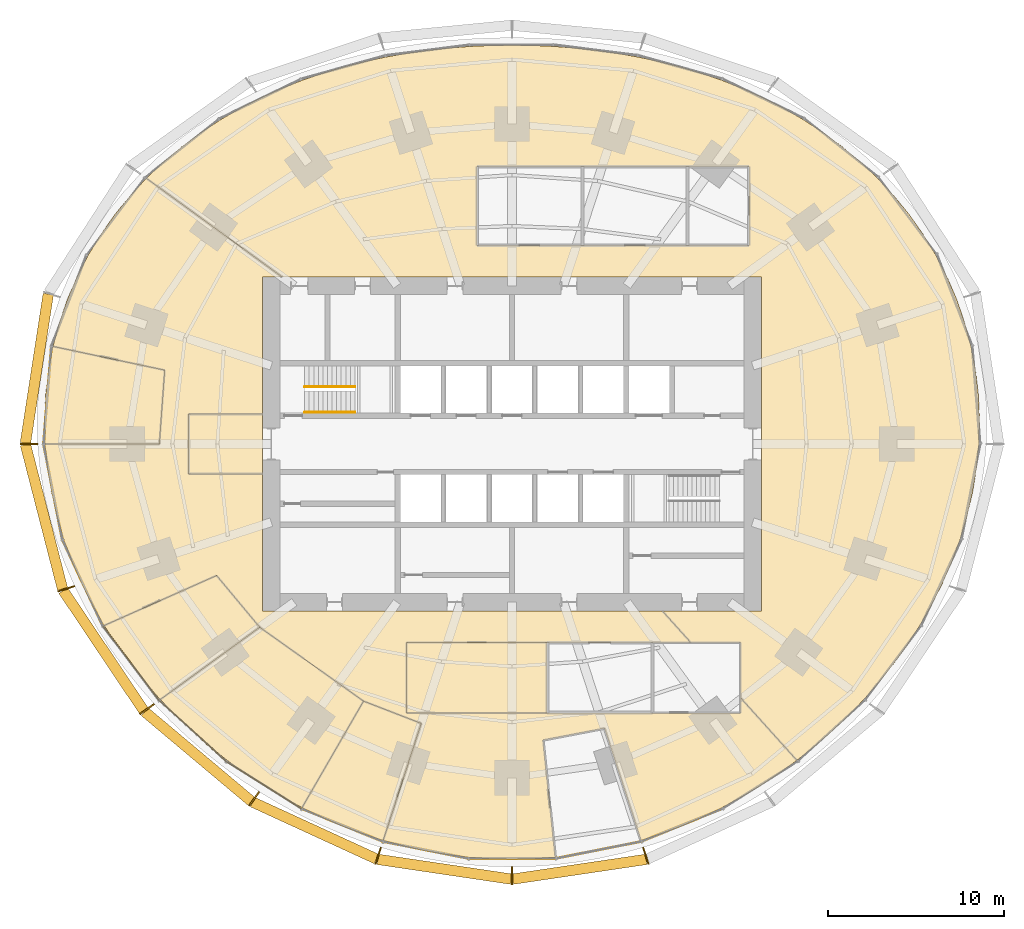
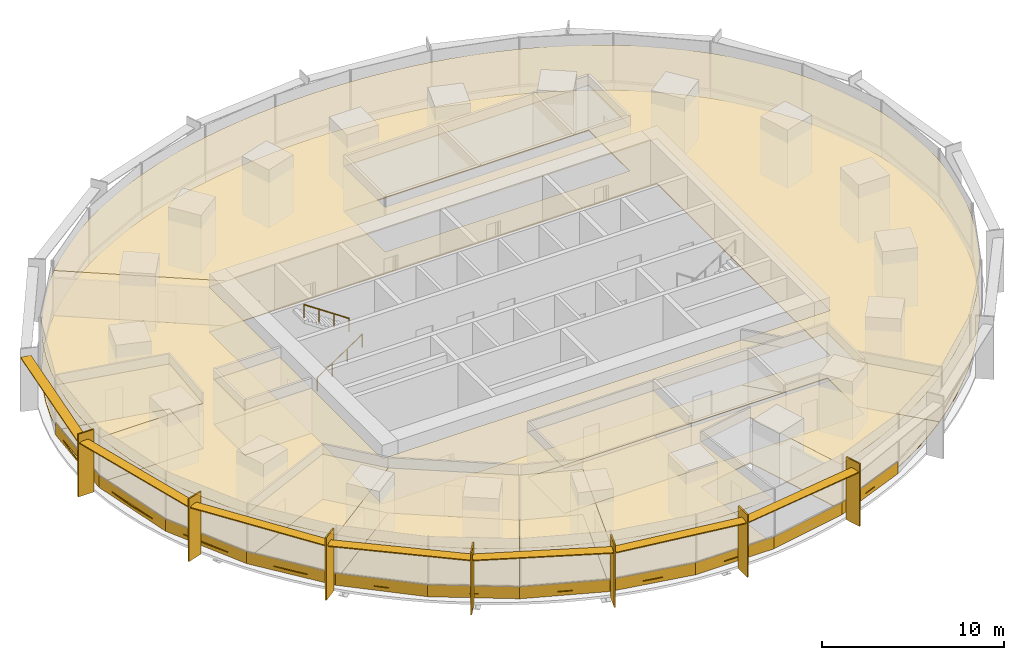
# One storey, part 14 of 15: 27 coverings, 14 shading devices, 2 railings.
"""IFC4 building model written with IfcOpenShell, lengths in metres."""

import ifcopenshell
import ifcopenshell.guid

model = None  # the IFC model being written
_history = None  # IfcOwnerHistory: only IFC2X3 demands one
_inside = {}  # id of a spatial element -> (the spatial element, [elements in it])
_under = {}  # id of a project, library or spatial element -> (it, [spatial elements below it])
_declared = {}  # id of a project -> (the project, [libraries it declares])
_typed = {}  # id of a type object -> (the type object, [elements of that type])
_made_of = {}  # id of a material, layer set ... -> (it, [elements and type objects made of it])


def new_model(schema):
    """Start an empty IFC model of exactly this schema.

    Asked for "IFC4X3", IfcOpenShell would pick the latest addendum, in which some entities
    have other attributes; the version numbers below select the first issue.
    IFC2X3 requires an IfcOwnerHistory on every rooted entity: one is made here for all.
    """
    global model, _history
    if schema == "IFC4X3":
        model = ifcopenshell.file(schema_version=(4, 3, 0, 0))
    else:
        model = ifcopenshell.file(schema=schema)
    _inside.clear()
    _under.clear()
    _declared.clear()
    _typed.clear()
    _made_of.clear()
    _history = None
    if model.schema == "IFC2X3":
        org = make("IfcOrganization", Name="unknown")
        user = make(
            "IfcPersonAndOrganization",
            ThePerson=make("IfcPerson", FamilyName="unknown"),
            TheOrganization=org,
        )
        app = make(
            "IfcApplication",
            ApplicationDeveloper=org,
            Version="unknown",
            ApplicationFullName="unknown",
            ApplicationIdentifier="unknown",
        )
        _history = make(
            "IfcOwnerHistory",
            OwningUser=user,
            OwningApplication=app,
            ChangeAction="ADDED",
            CreationDate=0,
        )
    return model


def make(cls, **values):
    """One entity of the class cls with the attributes given. An attribute that is None is left unset."""
    return model.create_entity(
        cls, **{name: value for name, value in values.items() if value is not None}
    )


def rooted(cls, **values):
    """An entity with a GlobalId (a new one), such as an element, a storey or a relation."""
    return make(cls, GlobalId=ifcopenshell.guid.new(), OwnerHistory=_history, **values)


def si_unit(unit_type, name, prefix=None):
    """IfcSIUnit, for example si_unit("LENGTHUNIT", "METRE", prefix="MILLI")."""
    return make("IfcSIUnit", UnitType=unit_type, Prefix=prefix, Name=name)


def assignment(units):
    """IfcUnitAssignment: the units of a project."""
    return None if units is None else make("IfcUnitAssignment", Units=units)


def point(xyz):
    """IfcCartesianPoint."""
    return None if xyz is None else make("IfcCartesianPoint", Coordinates=xyz)


def direction(xyz):
    """IfcDirection."""
    return None if xyz is None else make("IfcDirection", DirectionRatios=xyz)


def frame(location, z_axis=None, x_axis=None):
    """IfcAxis2Placement3D, a coordinate frame: its origin and axes. An axis left out is left unset."""
    return make(
        "IfcAxis2Placement3D",
        Location=point(location),
        Axis=direction(z_axis),
        RefDirection=direction(x_axis),
    )


def frame_2d(location, x_axis=None):
    """IfcAxis2Placement2D, a coordinate frame in the plane: its origin and x axis."""
    return make(
        "IfcAxis2Placement2D", Location=point(location), RefDirection=direction(x_axis)
    )


def origin():
    """The frame at (0, 0, 0) with its axes left unset."""
    return frame((0.0, 0.0, 0.0))


def origin_2d():
    """The frame at (0, 0) in the plane with its x axis left unset."""
    return frame_2d((0.0, 0.0))


def place(relative_to, where):
    """IfcLocalPlacement: puts the frame where relative to a parent placement (None: the world)."""
    return make(
        "IfcLocalPlacement", PlacementRelTo=relative_to, RelativePlacement=where
    )


def context(
    kind, dimensions, precision=None, world=None, true_north=None, identifier=None
):
    """IfcGeometricRepresentationContext, for example the 3D "Model" context."""
    return make(
        "IfcGeometricRepresentationContext",
        ContextIdentifier=identifier,
        ContextType=kind,
        CoordinateSpaceDimension=dimensions,
        Precision=precision,
        WorldCoordinateSystem=world,
        TrueNorth=true_north,
    )


def subcontext(parent, identifier, kind, view, scale=None):
    """IfcGeometricRepresentationSubContext, for example "Body" below "Model"."""
    return make(
        "IfcGeometricRepresentationSubContext",
        ContextIdentifier=identifier,
        ContextType=kind,
        ParentContext=parent,
        TargetScale=scale,
        TargetView=view,
    )


def project(units=None, contexts=None):
    """IfcProject with its units and contexts."""
    return rooted(
        "IfcProject",
        Name="project",
        RepresentationContexts=contexts,
        UnitsInContext=assignment(units),
    )


def spatial(cls, under=None, at=None, **own):
    """A site, building, storey or space (cls), placed at a placement, below another one or the project."""
    s = rooted(cls, ObjectPlacement=at, **own)
    if under is not None:
        _under.setdefault(under.id(), (under, []))[1].append(s)
    return s


def polyline(points):
    """IfcPolyline through the points."""
    return make("IfcPolyline", Points=[point(p) for p in points])


def profile(cls, at=None, kind="AREA", **sizes):
    """A parametric profile (cls). Its sizes go by their IFC names, for example OverallWidth=200.0."""
    return make(cls, ProfileType=kind, Position=at, **sizes)


def rectangle(**sizes):
    """IfcRectangleProfileDef."""
    return profile("IfcRectangleProfileDef", **sizes)


def circle(**sizes):
    """IfcCircleProfileDef."""
    return profile("IfcCircleProfileDef", **sizes)


def outline(outer, holes=None, kind="AREA"):
    """IfcArbitraryClosedProfileDef: a profile drawn as a closed curve; with holes, ...WithVoids."""
    if holes is None:
        return make("IfcArbitraryClosedProfileDef", ProfileType=kind, OuterCurve=outer)
    return make(
        "IfcArbitraryProfileDefWithVoids",
        ProfileType=kind,
        OuterCurve=outer,
        InnerCurves=holes,
    )


def extrude(swept, where, along, depth):
    """IfcExtrudedAreaSolid: the profile swept, set in the frame where, extruded along a direction by depth."""
    return make(
        "IfcExtrudedAreaSolid",
        SweptArea=swept,
        Position=where,
        ExtrudedDirection=direction(along),
        Depth=depth,
    )


def shape(context_of_items, identifier, shape_type, items):
    """IfcShapeRepresentation: the items that make up one representation, for example the "Body"."""
    return make(
        "IfcShapeRepresentation",
        ContextOfItems=context_of_items,
        RepresentationIdentifier=identifier,
        RepresentationType=shape_type,
        Items=items,
    )


def material(Name=None, Category=None):
    """IfcMaterial."""
    return make("IfcMaterial", Name=Name, Category=Category)


def layer(
    of_material, thickness, ventilated=None, Name=None, Category=None, Priority=None
):
    """IfcMaterialLayer: one layer of a wall or slab, of a material (None: an air gap)."""
    return make(
        "IfcMaterialLayer",
        Material=of_material,
        LayerThickness=thickness,
        IsVentilated=ventilated,
        Name=Name,
        Category=Category,
        Priority=Priority,
    )


def layer_set(layers, Name=None):
    """IfcMaterialLayerSet."""
    return make("IfcMaterialLayerSet", MaterialLayers=layers, LayerSetName=Name)


def made_of(thing, what):
    """Note that an element or type object is made of a material, layer set ...; save() writes the relation."""
    if what is not None:
        _made_of.setdefault(what.id(), (what, []))[1].append(thing)
    return thing


def type_object(cls, material=None, **own):
    """A type object (cls), such as IfcWallType, which elements share."""
    return made_of(rooted(cls, **own), material)


def element(
    cls,
    number,
    at=None,
    inside=None,
    cuts=None,
    type_object=None,
    material=None,
    context=None,
    identifier="Body",
    shape_type=None,
    held_by="IfcProductDefinitionShape",
    body=None,
    shapes=None,
    **own,
):
    """One element of the class cls, such as IfcWall. Its Tag is "e" and its number.

    at: its placement. inside: the storey or other place that contains it. cuts: it is an
    opening in that element (IfcRelVoidsElement). A single representation is given by context,
    identifier, shape_type and body (its items); several are given by shapes. held_by: the class
    of the entity that holds the representations. save() writes the other relations.
    """
    e = rooted(cls, Tag="e%d" % number, ObjectPlacement=at, **own)
    if body is not None:
        shapes = [shape(context, identifier, shape_type, body)]
    if shapes is not None:
        e.Representation = make(held_by, Representations=shapes)
    if inside is not None:
        _inside.setdefault(inside.id(), (inside, []))[1].append(e)
    if cuts is not None:
        rooted(
            "IfcRelVoidsElement", RelatingBuildingElement=cuts, RelatedOpeningElement=e
        )
    if type_object is not None:
        _typed.setdefault(type_object.id(), (type_object, []))[1].append(e)
    return made_of(e, material)


def aggregate(whole, parts):
    """IfcRelAggregates: a whole, such as a stair, and the parts it consists of."""
    return rooted("IfcRelAggregates", RelatingObject=whole, RelatedObjects=parts)


def save(model, path):
    """Write the relations noted so far, then the file.

    IfcRelAggregates (storeys below a building ...), IfcRelContainedInSpatialStructure (elements
    in a storey), IfcRelDefinesByType, IfcRelAssociatesMaterial and IfcRelDeclares: one each for
    every whole, place, type object, material and project.
    """
    for whole, parts in _under.values():
        aggregate(whole, parts)
    for where, things in _inside.values():
        rooted(
            "IfcRelContainedInSpatialStructure",
            RelatedElements=things,
            RelatingStructure=where,
        )
    for kind, things in _typed.values():
        rooted("IfcRelDefinesByType", RelatedObjects=things, RelatingType=kind)
    for what, things in _made_of.values():
        rooted("IfcRelAssociatesMaterial", RelatedObjects=things, RelatingMaterial=what)
    for by, libraries in _declared.values():
        rooted("IfcRelDeclares", RelatingContext=by, RelatedDefinitions=libraries)
    model.write(path)


model = new_model("IFC4")

# Units and contexts
model_context = context("Model", 3, precision=1e-05, world=origin(), true_north=direction((0.0, 1.0)))
body_context = subcontext(model_context, "Body", "Model", "MODEL_VIEW")
ifc_project = project(units=[si_unit("LENGTHUNIT", "METRE"), si_unit("AREAUNIT", "SQUARE_METRE"), si_unit("VOLUMEUNIT", "CUBIC_METRE"), si_unit("PLANEANGLEUNIT", "RADIAN"), si_unit("MASSUNIT", "GRAM", prefix="KILO")], contexts=[model_context])

# Site, building, storey
site_placement = place(None, origin())
site = spatial("IfcSite", under=ifc_project, at=site_placement, CompositionType="ELEMENT")
building_placement = place(site_placement, origin())
building = spatial("IfcBuilding", under=site, at=building_placement, Name="Marramba Exchange Tower", CompositionType="ELEMENT")
storey_placement = place(building_placement, frame((0.0, 0.0, 57.39990234375)))
storey = spatial("IfcBuildingStorey", under=building, at=storey_placement, Name="L13", CompositionType="ELEMENT", Elevation=57.39990234375)

# Shading devices
ifc_material_1 = material(Name="Aluminium blade, timber-look bronze finish", Category="wood")
ifc_layer_1 = layer(ifc_material_1, 0.080078125)
ifc_layer_set_1 = layer_set([ifc_layer_1], Name="Floor-edge blade 1000x80")
shading_device_type_1 = type_object("IfcShadingDeviceType", Name="Floor-edge blade 1000x80", PredefinedType="USERDEFINED", material=ifc_layer_set_1)
for number, where, z_axis, x_axis, name in (
    (1, (-27.5, 0.0, -0.15966796875), (0.0, 0.0, 1.0), (-1.0, 0.0, 0.0), "Floor-edge blade FB1 L13 TC11"),
    (2, (-25.3740234375, -8.24462890625, -0.15966796875), (0.0, 0.0, 1.0), (-0.951056516295, -0.309016994375, 0.0), "Floor-edge blade FB1 L13 TC12"),
    (3, (-20.773193359375, -15.092529296875, -0.15966796875), (0.0, 0.0, 1.0), (-0.809016994375, -0.587785252292, 0.0), "Floor-edge blade FB1 L13 TC13"),
    (4, (-14.6787109375, -20.20361328125, -0.15966796875), (0.0, 0.0, 1.0), (-0.587785252292, -0.809016994375, 0.0), "Floor-edge blade FB1 L13 TC14"),
    (5, (-7.61767578125, -23.444580078125, -0.15966796875), (0.0, 0.0, 1.0), (-0.309016994375, -0.951056516295, 0.0), "Floor-edge blade FB1 L13 TC15"),
    (6, (0.0, -24.572021484375, -0.15966796875), (0.0, 0.0, 1.0), (0.0, -1.0, 0.0), "Floor-edge blade FB1 L13 TC16"),
    (7, (7.61767578125, -23.444580078125, -0.15966796875), (0.0, 0.0, 1.0), (0.309016994375, -0.951056516295, 0.0), "Floor-edge blade FB1 L13 TC17"),
):
    element("IfcShadingDevice", number, at=place(storey_placement, frame(where, z_axis=z_axis, x_axis=x_axis)), inside=storey, type_object=shading_device_type_1, Name=name, ObjectType="FIN", PredefinedType="USERDEFINED", context=body_context, shape_type="SweptSolid", body=[
        extrude(rectangle(XDim=1.0, YDim=0.080078125, at=origin_2d()), origin(), (0.0, 0.0, 1.0), 4.199951171875),
    ])

# Coverings
ifc_material_2 = material(Name="Steel raised access floor panels", Category="steel")
ifc_layer_2 = layer(ifc_material_2, 0.050048828125)
ifc_layer_set_2 = layer_set([ifc_layer_2], Name="Raised access floor 300")
covering_type_1 = type_object("IfcCoveringType", Name="Raised access floor 300", PredefinedType="FLOORING", material=ifc_layer_set_2)
covering_1_placement = place(storey_placement, frame((0.0, 0.0, 0.25)))
element("IfcCovering", 8, at=covering_1_placement, inside=storey, type_object=covering_type_1, Name="Raised access floor RAF1 L13 Fixed Income Trading Floor", PredefinedType="FLOORING", context=body_context, shape_type="SweptSolid", body=[
    extrude(outline(polyline([(14.199951171875, 9.5), (-13.07568359375, 9.5), (-20.810791015625, 15.119873046875), (-19.8251953125, 16.05419921875), (-18.791259765625, 16.919677734375), (-17.71630859375, 17.71630859375), (-16.60693359375, 18.44384765625), (-15.4697265625, 19.103759765625), (-14.31103515625, 19.697509765625), (-13.135986328125, 20.2275390625), (-11.94921875, 20.69677734375), (-10.755126953125, 21.10791015625), (-9.556640625, 21.464599609375), (-8.356689453125, 21.76953125), (-7.15673828125, 22.0263671875), (-5.95849609375, 22.23779296875), (-4.7626953125, 22.406982421875), (-3.5693359375, 22.535888671875), (-2.378173828125, 22.62646484375), (-1.188720703125, 22.68017578125), (0.0, 22.697998046875), (1.188720703125, 22.68017578125), (2.378173828125, 22.62646484375), (3.5693359375, 22.535888671875), (4.7626953125, 22.406982421875), (5.95849609375, 22.23779296875), (7.15673828125, 22.0263671875), (8.356689453125, 21.76953125), (9.556640625, 21.464599609375), (10.755126953125, 21.10791015625), (11.94921875, 20.69677734375), (13.135986328125, 20.2275390625), (14.31103515625, 19.697509765625), (15.4697265625, 19.103759765625), (16.60693359375, 18.44384765625), (17.71630859375, 17.71630859375), (18.791259765625, 16.919677734375), (19.8251953125, 16.05419921875), (20.810791015625, 15.119873046875), (21.740478515625, 14.118408203125), (22.607177734375, 13.05224609375), (23.40380859375, 11.9248046875), (24.12353515625, 10.740478515625), (24.76025390625, 9.50439453125), (25.30859375, 8.22314453125), (25.763916015625, 6.9033203125), (26.123291015625, 5.552734375), (26.3837890625, 4.1787109375), (26.544921875, 2.7900390625), (26.6064453125, 1.394287109375), (26.570068359375, 0.0), (26.43798828125, -1.385498046875), (26.213623046875, -2.755126953125), (25.9013671875, -4.102294921875), (25.50634765625, -5.421630859375), (25.033935546875, -6.707763671875), (24.489501953125, -7.95703125), (23.879150390625, -9.166259765625), (23.208251953125, -10.3330078125), (22.482177734375, -11.455322265625), (21.7060546875, -12.531982421875), (20.88427734375, -13.5625), (20.020751953125, -14.5458984375), (19.119384765625, -15.482421875), (18.1826171875, -16.371826171875), (17.213623046875, -17.213623046875), (16.21435546875, -18.0078125), (13.0, -14.43798828125), (13.0, -11.300048828125), (10.174560546875, -11.300048828125), (8.5537109375, -9.5), (14.199951171875, -9.5), (14.199951171875, 9.5)]), holes=[polyline([(-2.0, 11.300048828125), (4.0, 11.300048828125), (10.0, 11.300048828125), (13.5, 11.300048828125), (13.5, 15.800048828125), (10.0, 15.800048828125), (4.0, 15.800048828125), (-2.0, 15.800048828125), (-2.0, 11.300048828125)])]), origin(), (0.0, 0.0, 1.0), 0.050048828125),
])
covering_2_placement = place(storey_placement, frame((0.0, 0.0, 0.25)))
element("IfcCovering", 9, at=covering_2_placement, inside=storey, type_object=covering_type_1, Name="Raised access floor RAF1 L13 Research Office", PredefinedType="FLOORING", context=body_context, shape_type="SweptSolid", body=[
    extrude(outline(polyline([(-14.199951171875, 1.699951171875), (-18.39990234375, 1.699951171875), (-18.39990234375, -1.699951171875), (-14.199951171875, -1.699951171875), (-14.199951171875, -9.5), (8.5537109375, -9.5), (10.174560546875, -11.300048828125), (8.0, -11.300048828125), (2.0, -11.300048828125), (-6.0, -11.300048828125), (-6.0, -15.300048828125), (2.0, -15.300048828125), (8.0, -15.300048828125), (13.0, -15.300048828125), (13.0, -14.43798828125), (15.483642578125, -17.1962890625), (16.21435546875, -18.0078125), (15.1865234375, -18.75390625), (14.132080078125, -19.451171875), (13.052490234375, -20.09912109375), (11.94921875, -20.69677734375), (10.82373046875, -21.242919921875), (9.677734375, -21.736328125), (8.512451171875, -22.17578125), (7.330078125, -22.56005859375), (5.259765625, -16.18798828125), (1.771728515625, -16.857177734375), (2.47216796875, -23.5205078125), (1.2373046875, -23.611572265625), (0.0, -23.64208984375), (-1.2373046875, -23.611572265625), (-2.47216796875, -23.5205078125), (-3.701416015625, -23.368896484375), (-4.92236328125, -23.15771484375), (-6.1328125, -22.8876953125), (-7.330078125, -22.56005859375), (-5.1669921875, -15.902587890625), (-8.44921875, -14.634521484375), (-14.357666015625, -10.431396484375), (-16.8134765625, -7.48583984375), (-23.208251953125, -10.3330078125), (-23.879150390625, -9.166259765625), (-24.489501953125, -7.95703125), (-25.033935546875, -6.707763671875), (-25.50634765625, -5.421630859375), (-25.9013671875, -4.102294921875), (-26.213623046875, -2.755126953125), (-26.43798828125, -1.385498046875), (-26.570068359375, 0.0), (-20.070068359375, 0.0), (-19.765380859375, 4.201171875), (-26.123291015625, 5.552734375), (-25.763916015625, 6.9033203125), (-25.30859375, 8.22314453125), (-24.76025390625, 9.50439453125), (-24.12353515625, 10.740478515625), (-23.40380859375, 11.9248046875), (-22.607177734375, 13.05224609375), (-21.740478515625, 14.118408203125), (-20.810791015625, 15.119873046875), (-15.08203125, 10.957763671875), (-13.07568359375, 9.5), (-14.199951171875, 9.5), (-14.199951171875, 1.699951171875)])), origin(), (0.0, 0.0, 1.0), 0.050048828125),
])
covering_3_placement = place(storey_placement, frame((0.0, 0.0, 0.25)))
element("IfcCovering", 10, at=covering_3_placement, inside=storey, type_object=covering_type_1, Name="Raised access floor RAF1 L13 Corridor", PredefinedType="FLOORING", context=body_context, shape_type="SweptSolid", body=[
    extrude(outline(polyline([(-18.39990234375, 1.699951171875), (-14.199951171875, 1.699951171875), (-14.199951171875, -1.699951171875), (-18.39990234375, -1.699951171875), (-18.39990234375, 1.699951171875)])), origin(), (0.0, 0.0, 1.0), 0.050048828125),
])
covering_4_placement = place(storey_placement, frame((0.0, 0.0, 0.25)))
element("IfcCovering", 11, at=covering_4_placement, inside=storey, type_object=covering_type_1, Name="Raised access floor RAF1 L13 Head of Desk Office 1", PredefinedType="FLOORING", context=body_context, shape_type="SweptSolid", body=[
    extrude(outline(polyline([(-20.29736328125, -14.230712890625), (-20.88427734375, -13.5625), (-21.7060546875, -12.531982421875), (-22.482177734375, -11.455322265625), (-23.157958984375, -10.41064453125), (-23.208251953125, -10.3330078125), (-16.8134765625, -7.48583984375), (-14.357666015625, -10.431396484375), (-20.020751953125, -14.5458984375), (-20.29736328125, -14.230712890625)])), origin(), (0.0, 0.0, 1.0), 0.050048828125),
])
covering_5_placement = place(storey_placement, frame((0.0, 0.0, 0.25)))
element("IfcCovering", 12, at=covering_5_placement, inside=storey, type_object=covering_type_1, Name="Raised access floor RAF1 L13 Head of Desk Office 2", PredefinedType="FLOORING", context=body_context, shape_type="SweptSolid", body=[
    extrude(outline(polyline([(-13.052490234375, -20.09912109375), (-13.36474609375, -19.911865234375), (-14.132080078125, -19.451171875), (-15.1865234375, -18.75390625), (-15.5078125, -18.5205078125), (-16.21435546875, -18.0078125), (-16.82373046875, -17.5234375), (-17.213623046875, -17.213623046875), (-17.489013671875, -16.97412109375), (-18.1826171875, -16.371826171875), (-19.119384765625, -15.482421875), (-19.80810546875, -14.766845703125), (-20.020751953125, -14.5458984375), (-14.357666015625, -10.431396484375), (-8.44921875, -14.634521484375), (-11.94921875, -20.69677734375), (-13.052490234375, -20.09912109375)])), origin(), (0.0, 0.0, 1.0), 0.050048828125),
])
covering_6_placement = place(storey_placement, frame((0.0, 0.0, 0.25)))
element("IfcCovering", 13, at=covering_6_placement, inside=storey, type_object=covering_type_1, Name="Raised access floor RAF1 L13 Head of Desk Office 3", PredefinedType="FLOORING", context=body_context, shape_type="SweptSolid", body=[
    extrude(outline(polyline([(-8.17431640625, -22.285888671875), (-8.512451171875, -22.17578125), (-9.677734375, -21.736328125), (-10.505859375, -21.3798828125), (-10.82373046875, -21.242919921875), (-11.325927734375, -20.999267578125), (-11.94921875, -20.69677734375), (-8.44921875, -14.634521484375), (-5.1669921875, -15.902587890625), (-7.330078125, -22.56005859375), (-8.17431640625, -22.285888671875)])), origin(), (0.0, 0.0, 1.0), 0.050048828125),
])
covering_7_placement = place(storey_placement, frame((0.0, 0.0, 0.25)))
element("IfcCovering", 14, at=covering_7_placement, inside=storey, type_object=covering_type_1, Name="Raised access floor RAF1 L13 Compliance Office", PredefinedType="FLOORING", context=body_context, shape_type="SweptSolid", body=[
    extrude(outline(polyline([(-26.6064453125, 1.394287109375), (-26.544921875, 2.7900390625), (-26.45703125, 3.54736328125), (-26.3837890625, 4.1787109375), (-26.2470703125, 4.89990234375), (-26.123291015625, 5.552734375), (-19.765380859375, 4.201171875), (-20.070068359375, 0.0), (-26.570068359375, 0.0), (-26.6064453125, 1.394287109375)])), origin(), (0.0, 0.0, 1.0), 0.050048828125),
])
covering_8_placement = place(storey_placement, frame((0.0, 0.0, 0.25)))
element("IfcCovering", 15, at=covering_8_placement, inside=storey, type_object=covering_type_1, Name="Raised access floor RAF1 L13 Pantry", PredefinedType="FLOORING", context=body_context, shape_type="SweptSolid", body=[
    extrude(outline(polyline([(2.0, -15.300048828125), (-6.0, -15.300048828125), (-6.0, -11.300048828125), (2.0, -11.300048828125), (2.0, -15.300048828125)])), origin(), (0.0, 0.0, 1.0), 0.050048828125),
])

# Shading devices
ifc_material_3 = material(Name="Aluminium sunshade, bronze anodised", Category="aluminium")
ifc_layer_3 = layer(ifc_material_3, 0.06005859375)
ifc_layer_set_3 = layer_set([ifc_layer_3], Name="SUNSHADE blade 600x60")
shading_device_type_2 = type_object("IfcShadingDeviceType", Name="SUNSHADE blade 600x60", PredefinedType="USERDEFINED", material=ifc_layer_set_3)
shading_device_1_placement = place(storey_placement, frame((-27.04150390625, 4.2861328125, 3.4599609375), z_axis=(0.0, 0.0, 1.0), x_axis=(-0.151825486228, -0.988407315701, 0.0)))
element("IfcShadingDevice", 16, at=shading_device_1_placement, inside=storey, type_object=shading_device_type_2, Name="Sunshade SS1 L13 bay 10", ObjectType="SUNSHADE", PredefinedType="USERDEFINED", context=body_context, shape_type="SweptSolid", body=[
    extrude(rectangle(XDim=8.593017578125, YDim=0.60009765625, at=origin_2d()), origin(), (0.0, 0.0, 1.0), 0.06005859375),
])
shading_device_2_placement = place(storey_placement, frame((-26.632080078125, -4.153076171875, 3.4599609375), z_axis=(0.0, 0.0, 1.0), x_axis=(0.249024641331, -0.968497149201, 0.0)))
element("IfcShadingDevice", 17, at=shading_device_2_placement, inside=storey, type_object=shading_device_type_2, Name="Sunshade SS1 L13 bay 11", ObjectType="SUNSHADE", PredefinedType="USERDEFINED", context=body_context, shape_type="SweptSolid", body=[
    extrude(rectangle(XDim=8.49658203125, YDim=0.60009765625, at=origin_2d()), origin(), (0.0, 0.0, 1.0), 0.06005859375),
])
shading_device_3_placement = place(storey_placement, frame((-23.24951171875, -11.75830078125, 3.4599609375), z_axis=(0.0, 0.0, 1.0), x_axis=(0.556924164761, -0.830563347798, 0.0)))
element("IfcShadingDevice", 18, at=shading_device_3_placement, inside=storey, type_object=shading_device_type_2, Name="Sunshade SS1 L13 bay 12", ObjectType="SUNSHADE", PredefinedType="USERDEFINED", context=body_context, shape_type="SweptSolid", body=[
    extrude(rectangle(XDim=8.232177734375, YDim=0.60009765625, at=origin_2d()), origin(), (0.0, 0.0, 1.0), 0.06005859375),
])
shading_device_4_placement = place(storey_placement, frame((-17.86572265625, -17.787841796875, 3.4599609375), z_axis=(0.0, 0.0, 1.0), x_axis=(0.765776068523, -0.643107310546, 0.0)))
element("IfcShadingDevice", 19, at=shading_device_4_placement, inside=storey, type_object=shading_device_type_2, Name="Sunshade SS1 L13 bay 13", ObjectType="SUNSHADE", PredefinedType="USERDEFINED", context=body_context, shape_type="SweptSolid", body=[
    extrude(rectangle(XDim=7.936279296875, YDim=0.60009765625, at=origin_2d()), origin(), (0.0, 0.0, 1.0), 0.06005859375),
])
shading_device_5_placement = place(storey_placement, frame((-11.23779296875, -22.0, 3.4599609375), z_axis=(0.0, 0.0, 1.0), x_axis=(0.908703542008, -0.417442059144, 0.0)))
element("IfcShadingDevice", 20, at=shading_device_5_placement, inside=storey, type_object=shading_device_type_2, Name="Sunshade SS1 L13 bay 14", ObjectType="SUNSHADE", PredefinedType="USERDEFINED", context=body_context, shape_type="SweptSolid", body=[
    extrude(rectangle(XDim=7.751953125, YDim=0.60009765625, at=origin_2d()), origin(), (0.0, 0.0, 1.0), 0.06005859375),
])
for number, where, z_axis, x_axis, name in (
    (21, (-3.839599609375, -24.203369140625, 3.4599609375), (0.0, 0.0, 1.0), (0.989212895923, -0.146484970356, 0.0), "Sunshade SS1 L13 bay 15"),
    (22, (3.839599609375, -24.203369140625, 3.4599609375), (0.0, 0.0, 1.0), (0.989212895923, 0.146484970356, 0.0), "Sunshade SS1 L13 bay 16"),
):
    element("IfcShadingDevice", number, at=place(storey_placement, frame(where, z_axis=z_axis, x_axis=x_axis)), inside=storey, type_object=shading_device_type_2, Name=name, ObjectType="SUNSHADE", PredefinedType="USERDEFINED", context=body_context, shape_type="SweptSolid", body=[
        extrude(rectangle(XDim=7.68310546875, YDim=0.60009765625, at=origin_2d()), origin(), (0.0, 0.0, 1.0), 0.06005859375),
    ])

# Coverings
ifc_material_4 = material(Name="Aluminium spandrel panel, bronze anodised, insulated", Category="aluminium")
ifc_layer_4 = layer(ifc_material_4, 0.050048828125)
ifc_layer_set_4 = layer_set([ifc_layer_4], Name="Spandrel panel 800")
covering_type_2 = type_object("IfcCoveringType", Name="Spandrel panel 800", PredefinedType="CLADDING", material=ifc_layer_set_4)
covering_9_placement = place(storey_placement, frame((-26.42578125, 2.78466796875, 0.0), z_axis=(0.0, 0.0, 1.0), x_axis=(-0.080275227657, -0.996772736297, 0.0)))
element("IfcCovering", 23, at=covering_9_placement, inside=storey, type_object=covering_type_2, Name="Spandrel panel SP1 L13 F15", PredefinedType="CLADDING", context=body_context, shape_type="SweptSolid", body=[
    extrude(rectangle(XDim=5.58740234375, YDim=0.050048828125, at=origin_2d()), origin(), (0.0, 0.0, 1.0), 0.800048828125),
])
covering_10_placement = place(storey_placement, frame((-26.117431640625, -2.718994140625, 0.0), z_axis=(0.0, 0.0, 1.0), x_axis=(0.19224858127, -0.981346260501, 0.0)))
element("IfcCovering", 24, at=covering_10_placement, inside=storey, type_object=covering_type_2, Name="Spandrel panel SP1 L13 F16", PredefinedType="CLADDING", context=body_context, shape_type="SweptSolid", body=[
    extrude(rectangle(XDim=5.54150390625, YDim=0.050048828125, at=origin_2d()), origin(), (0.0, 0.0, 1.0), 0.800048828125),
])
covering_11_placement = place(storey_placement, frame((-24.432861328125, -7.90185546875, 0.0), z_axis=(0.0, 0.0, 1.0), x_axis=(0.423477213559, -0.905906755464, 0.0)))
element("IfcCovering", 25, at=covering_11_placement, inside=storey, type_object=covering_type_2, Name="Spandrel panel SP1 L13 F17", PredefinedType="CLADDING", context=body_context, shape_type="SweptSolid", body=[
    extrude(rectangle(XDim=5.439208984375, YDim=0.050048828125, at=origin_2d()), origin(), (0.0, 0.0, 1.0), 0.800048828125),
])
covering_12_placement = place(storey_placement, frame((-21.683349609375, -12.479248046875, 0.0), z_axis=(0.0, 0.0, 1.0), x_axis=(0.603040469481, -0.797710594243, 0.0)))
element("IfcCovering", 26, at=covering_12_placement, inside=storey, type_object=covering_type_2, Name="Spandrel panel SP1 L13 F18", PredefinedType="CLADDING", context=body_context, shape_type="SweptSolid", body=[
    extrude(rectangle(XDim=5.299560546875, YDim=0.050048828125, at=origin_2d()), origin(), (0.0, 0.0, 1.0), 0.800048828125),
])
covering_13_placement = place(storey_placement, frame((-18.1767578125, -16.330078125, 0.0), z_axis=(0.0, 0.0, 1.0), x_axis=(0.739589582203, -0.673058132628, 0.0)))
element("IfcCovering", 27, at=covering_13_placement, inside=storey, type_object=covering_type_2, Name="Spandrel panel SP1 L13 F19", PredefinedType="CLADDING", context=body_context, shape_type="SweptSolid", body=[
    extrude(rectangle(XDim=5.161865234375, YDim=0.050048828125, at=origin_2d()), origin(), (0.0, 0.0, 1.0), 0.800048828125),
])
covering_14_placement = place(storey_placement, frame((-14.128662109375, -19.416748046875, 0.0), z_axis=(0.0, 0.0, 1.0), x_axis=(0.845790829799, -0.533514641062, 0.0)))
element("IfcCovering", 28, at=covering_14_placement, inside=storey, type_object=covering_type_2, Name="Spandrel panel SP1 L13 F20", PredefinedType="CLADDING", context=body_context, shape_type="SweptSolid", body=[
    extrude(rectangle(XDim=5.05859375, YDim=0.050048828125, at=origin_2d()), origin(), (0.0, 0.0, 1.0), 0.800048828125),
])
covering_15_placement = place(storey_placement, frame((-9.672119140625, -21.701171875, 0.0), z_axis=(0.0, 0.0, 1.0), x_axis=(0.927340675001, -0.374218215069, 0.0)))
element("IfcCovering", 29, at=covering_15_placement, inside=storey, type_object=covering_type_2, Name="Spandrel panel SP1 L13 F21", PredefinedType="CLADDING", context=body_context, shape_type="SweptSolid", body=[
    extrude(rectangle(XDim=4.99755859375, YDim=0.050048828125, at=origin_2d()), origin(), (0.0, 0.0, 1.0), 0.800048828125),
])
covering_16_placement = place(storey_placement, frame((-4.917724609375, -23.1181640625, 0.0), z_axis=(0.0, 0.0, 1.0), x_axis=(0.981009201842, -0.193961196898, 0.0)))
element("IfcCovering", 30, at=covering_16_placement, inside=storey, type_object=covering_type_2, Name="Spandrel panel SP1 L13 F22", PredefinedType="CLADDING", context=body_context, shape_type="SweptSolid", body=[
    extrude(rectangle(XDim=4.96875, YDim=0.050048828125, at=origin_2d()), origin(), (0.0, 0.0, 1.0), 0.800048828125),
])
covering_17_placement = place(storey_placement, frame((0.0, -23.599853515625, 0.0), z_axis=(0.0, 0.0, 1.0), x_axis=(1.0, 0.0, 0.0)))
element("IfcCovering", 31, at=covering_17_placement, inside=storey, type_object=covering_type_2, Name="Spandrel panel SP1 L13 F23", PredefinedType="CLADDING", context=body_context, shape_type="SweptSolid", body=[
    extrude(rectangle(XDim=4.9609375, YDim=0.050048828125, at=origin_2d()), origin(), (0.0, 0.0, 1.0), 0.800048828125),
])
covering_18_placement = place(storey_placement, frame((4.917724609375, -23.1181640625, 0.0), z_axis=(0.0, 0.0, 1.0), x_axis=(0.981009201842, 0.193961196898, 0.0)))
element("IfcCovering", 32, at=covering_18_placement, inside=storey, type_object=covering_type_2, Name="Spandrel panel SP1 L13 F24", PredefinedType="CLADDING", context=body_context, shape_type="SweptSolid", body=[
    extrude(rectangle(XDim=4.96875, YDim=0.050048828125, at=origin_2d()), origin(), (0.0, 0.0, 1.0), 0.800048828125),
])
covering_19_placement = place(storey_placement, frame((9.672119140625, -21.701171875, 0.0), z_axis=(0.0, 0.0, 1.0), x_axis=(0.927340675001, 0.374218215069, 0.0)))
element("IfcCovering", 33, at=covering_19_placement, inside=storey, type_object=covering_type_2, Name="Spandrel panel SP1 L13 F25", PredefinedType="CLADDING", context=body_context, shape_type="SweptSolid", body=[
    extrude(rectangle(XDim=4.99755859375, YDim=0.050048828125, at=origin_2d()), origin(), (0.0, 0.0, 1.0), 0.800048828125),
])

# Railings
ifc_material_5 = material(Name="Stainless steel handrail", Category="steel")
railing_type = type_object("IfcRailingType", Name="Stair handrail 900", PredefinedType="HANDRAIL", material=ifc_material_5)
railing_1_placement = place(storey_placement, frame((-11.800048828125, 1.800048828125, 0.175048828125)))
element("IfcRailing", 34, at=railing_1_placement, inside=storey, type_object=railing_type, Name="Handrail HR1 ST1 L13 flight 1", PredefinedType="HANDRAIL", context=body_context, shape_type="SweptSolid", body=[
    extrude(circle(Radius=0.02392578125, at=origin_2d()), frame((0.0, 0.0, 0.8759765625), z_axis=(0.829590901723, 0.0, 0.558371682465), x_axis=(0.0, 1.0, 0.0)), (0.0, 0.0, 1.0), 3.447509765625),
    extrude(circle(Radius=0.02099609375, at=origin_2d()), origin(), (0.0, 0.0, 1.0), 0.851806640625),
    extrude(circle(Radius=0.02099609375, at=origin_2d()), frame((0.953369140625, 0.0, 0.6416015625)), (0.0, 0.0, 1.0), 0.851806640625),
    extrude(circle(Radius=0.02099609375, at=origin_2d()), frame((1.90673828125, 0.0, 1.283447265625)), (0.0, 0.0, 1.0), 0.851806640625),
    extrude(circle(Radius=0.02099609375, at=origin_2d()), frame((2.860107421875, 0.0, 1.925048828125)), (0.0, 0.0, 1.0), 0.851806640625),
])
railing_2_placement = place(storey_placement, frame((-8.93994140625, 3.25, 2.275146484375)))
element("IfcRailing", 35, at=railing_2_placement, inside=storey, type_object=railing_type, Name="Handrail HR1 ST1 L13 flight 2", PredefinedType="HANDRAIL", context=body_context, shape_type="SweptSolid", body=[
    extrude(circle(Radius=0.02392578125, at=origin_2d()), frame((0.0, 0.0, 0.8759765625), z_axis=(-0.829590901723, 0.0, 0.558371682465), x_axis=(0.0, -1.0, 0.0)), (0.0, 0.0, 1.0), 3.447509765625),
    extrude(circle(Radius=0.02099609375, at=origin_2d()), origin(), (0.0, 0.0, 1.0), 0.851806640625),
    extrude(circle(Radius=0.02099609375, at=origin_2d()), frame((-0.953369140625, 0.0, 0.6416015625)), (0.0, 0.0, 1.0), 0.851806640625),
    extrude(circle(Radius=0.02099609375, at=origin_2d()), frame((-1.90673828125, 0.0, 1.283447265625)), (0.0, 0.0, 1.0), 0.851806640625),
    extrude(circle(Radius=0.02099609375, at=origin_2d()), frame((-2.860107421875, 0.0, 1.925048828125)), (0.0, 0.0, 1.0), 0.851806640625),
])

# Coverings
ifc_material_6 = material(Name="Mineral fibre ceiling tiles", Category="gypsum")
ifc_layer_5 = layer(ifc_material_6, 0.02001953125)
ifc_layer_set_5 = layer_set([ifc_layer_5], Name="Suspended ceiling 20")
covering_type_3 = type_object("IfcCoveringType", Name="Suspended ceiling 20", PredefinedType="CEILING", material=ifc_layer_set_5)
covering_20_placement = place(storey_placement, frame((0.0, 0.0, 3.300048828125)))
element("IfcCovering", 36, at=covering_20_placement, inside=storey, type_object=covering_type_3, Name="Ceiling CL1 L13 Fixed Income Trading Floor", PredefinedType="CEILING", context=body_context, shape_type="SweptSolid", body=[
    extrude(outline(polyline([(14.199951171875, 9.5), (-13.07568359375, 9.5), (-20.810791015625, 15.119873046875), (-19.8251953125, 16.05419921875), (-18.791259765625, 16.919677734375), (-17.71630859375, 17.71630859375), (-16.60693359375, 18.44384765625), (-15.4697265625, 19.103759765625), (-14.31103515625, 19.697509765625), (-13.135986328125, 20.2275390625), (-11.94921875, 20.69677734375), (-10.755126953125, 21.10791015625), (-9.556640625, 21.464599609375), (-8.356689453125, 21.76953125), (-7.15673828125, 22.0263671875), (-5.95849609375, 22.23779296875), (-4.7626953125, 22.406982421875), (-3.5693359375, 22.535888671875), (-2.378173828125, 22.62646484375), (-1.188720703125, 22.68017578125), (0.0, 22.697998046875), (1.188720703125, 22.68017578125), (2.378173828125, 22.62646484375), (3.5693359375, 22.535888671875), (4.7626953125, 22.406982421875), (5.95849609375, 22.23779296875), (7.15673828125, 22.0263671875), (8.356689453125, 21.76953125), (9.556640625, 21.464599609375), (10.755126953125, 21.10791015625), (11.94921875, 20.69677734375), (13.135986328125, 20.2275390625), (14.31103515625, 19.697509765625), (15.4697265625, 19.103759765625), (16.60693359375, 18.44384765625), (17.71630859375, 17.71630859375), (18.791259765625, 16.919677734375), (19.8251953125, 16.05419921875), (20.810791015625, 15.119873046875), (21.740478515625, 14.118408203125), (22.607177734375, 13.05224609375), (23.40380859375, 11.9248046875), (24.12353515625, 10.740478515625), (24.76025390625, 9.50439453125), (25.30859375, 8.22314453125), (25.763916015625, 6.9033203125), (26.123291015625, 5.552734375), (26.3837890625, 4.1787109375), (26.544921875, 2.7900390625), (26.6064453125, 1.394287109375), (26.570068359375, 0.0), (26.43798828125, -1.385498046875), (26.213623046875, -2.755126953125), (25.9013671875, -4.102294921875), (25.50634765625, -5.421630859375), (25.033935546875, -6.707763671875), (24.489501953125, -7.95703125), (23.879150390625, -9.166259765625), (23.208251953125, -10.3330078125), (22.482177734375, -11.455322265625), (21.7060546875, -12.531982421875), (20.88427734375, -13.5625), (20.020751953125, -14.5458984375), (19.119384765625, -15.482421875), (18.1826171875, -16.371826171875), (17.213623046875, -17.213623046875), (16.21435546875, -18.0078125), (13.0, -14.43798828125), (13.0, -11.300048828125), (10.174560546875, -11.300048828125), (8.5537109375, -9.5), (14.199951171875, -9.5), (14.199951171875, 9.5)]), holes=[polyline([(-2.0, 11.300048828125), (4.0, 11.300048828125), (10.0, 11.300048828125), (13.5, 11.300048828125), (13.5, 15.800048828125), (10.0, 15.800048828125), (4.0, 15.800048828125), (-2.0, 15.800048828125), (-2.0, 11.300048828125)])]), origin(), (0.0, 0.0, 1.0), 0.02001953125),
])
covering_21_placement = place(storey_placement, frame((0.0, 0.0, 3.300048828125)))
element("IfcCovering", 37, at=covering_21_placement, inside=storey, type_object=covering_type_3, Name="Ceiling CL1 L13 Research Office", PredefinedType="CEILING", context=body_context, shape_type="SweptSolid", body=[
    extrude(outline(polyline([(-14.199951171875, 1.699951171875), (-18.39990234375, 1.699951171875), (-18.39990234375, -1.699951171875), (-14.199951171875, -1.699951171875), (-14.199951171875, -9.5), (8.5537109375, -9.5), (10.174560546875, -11.300048828125), (8.0, -11.300048828125), (2.0, -11.300048828125), (-6.0, -11.300048828125), (-6.0, -15.300048828125), (2.0, -15.300048828125), (8.0, -15.300048828125), (13.0, -15.300048828125), (13.0, -14.43798828125), (15.483642578125, -17.1962890625), (16.21435546875, -18.0078125), (15.1865234375, -18.75390625), (14.132080078125, -19.451171875), (13.052490234375, -20.09912109375), (11.94921875, -20.69677734375), (10.82373046875, -21.242919921875), (9.677734375, -21.736328125), (8.512451171875, -22.17578125), (7.330078125, -22.56005859375), (5.259765625, -16.18798828125), (1.771728515625, -16.857177734375), (2.47216796875, -23.5205078125), (1.2373046875, -23.611572265625), (0.0, -23.64208984375), (-1.2373046875, -23.611572265625), (-2.47216796875, -23.5205078125), (-3.701416015625, -23.368896484375), (-4.92236328125, -23.15771484375), (-6.1328125, -22.8876953125), (-7.330078125, -22.56005859375), (-5.1669921875, -15.902587890625), (-8.44921875, -14.634521484375), (-14.357666015625, -10.431396484375), (-16.8134765625, -7.48583984375), (-23.208251953125, -10.3330078125), (-23.879150390625, -9.166259765625), (-24.489501953125, -7.95703125), (-25.033935546875, -6.707763671875), (-25.50634765625, -5.421630859375), (-25.9013671875, -4.102294921875), (-26.213623046875, -2.755126953125), (-26.43798828125, -1.385498046875), (-26.570068359375, 0.0), (-20.070068359375, 0.0), (-19.765380859375, 4.201171875), (-26.123291015625, 5.552734375), (-25.763916015625, 6.9033203125), (-25.30859375, 8.22314453125), (-24.76025390625, 9.50439453125), (-24.12353515625, 10.740478515625), (-23.40380859375, 11.9248046875), (-22.607177734375, 13.05224609375), (-21.740478515625, 14.118408203125), (-20.810791015625, 15.119873046875), (-15.08203125, 10.957763671875), (-13.07568359375, 9.5), (-14.199951171875, 9.5), (-14.199951171875, 1.699951171875)])), origin(), (0.0, 0.0, 1.0), 0.02001953125),
])
covering_22_placement = place(storey_placement, frame((0.0, 0.0, 3.300048828125)))
element("IfcCovering", 38, at=covering_22_placement, inside=storey, type_object=covering_type_3, Name="Ceiling CL1 L13 Corridor", PredefinedType="CEILING", context=body_context, shape_type="SweptSolid", body=[
    extrude(outline(polyline([(-18.39990234375, 1.699951171875), (-14.199951171875, 1.699951171875), (-14.199951171875, -1.699951171875), (-18.39990234375, -1.699951171875), (-18.39990234375, 1.699951171875)])), origin(), (0.0, 0.0, 1.0), 0.02001953125),
])
covering_23_placement = place(storey_placement, frame((0.0, 0.0, 3.300048828125)))
element("IfcCovering", 39, at=covering_23_placement, inside=storey, type_object=covering_type_3, Name="Ceiling CL1 L13 Head of Desk Office 1", PredefinedType="CEILING", context=body_context, shape_type="SweptSolid", body=[
    extrude(outline(polyline([(-20.29736328125, -14.230712890625), (-20.88427734375, -13.5625), (-21.7060546875, -12.531982421875), (-22.482177734375, -11.455322265625), (-23.157958984375, -10.41064453125), (-23.208251953125, -10.3330078125), (-16.8134765625, -7.48583984375), (-14.357666015625, -10.431396484375), (-20.020751953125, -14.5458984375), (-20.29736328125, -14.230712890625)])), origin(), (0.0, 0.0, 1.0), 0.02001953125),
])
covering_24_placement = place(storey_placement, frame((0.0, 0.0, 3.300048828125)))
element("IfcCovering", 40, at=covering_24_placement, inside=storey, type_object=covering_type_3, Name="Ceiling CL1 L13 Head of Desk Office 2", PredefinedType="CEILING", context=body_context, shape_type="SweptSolid", body=[
    extrude(outline(polyline([(-13.052490234375, -20.09912109375), (-13.36474609375, -19.911865234375), (-14.132080078125, -19.451171875), (-15.1865234375, -18.75390625), (-15.5078125, -18.5205078125), (-16.21435546875, -18.0078125), (-16.82373046875, -17.5234375), (-17.213623046875, -17.213623046875), (-17.489013671875, -16.97412109375), (-18.1826171875, -16.371826171875), (-19.119384765625, -15.482421875), (-19.80810546875, -14.766845703125), (-20.020751953125, -14.5458984375), (-14.357666015625, -10.431396484375), (-8.44921875, -14.634521484375), (-11.94921875, -20.69677734375), (-13.052490234375, -20.09912109375)])), origin(), (0.0, 0.0, 1.0), 0.02001953125),
])
covering_25_placement = place(storey_placement, frame((0.0, 0.0, 3.300048828125)))
element("IfcCovering", 41, at=covering_25_placement, inside=storey, type_object=covering_type_3, Name="Ceiling CL1 L13 Head of Desk Office 3", PredefinedType="CEILING", context=body_context, shape_type="SweptSolid", body=[
    extrude(outline(polyline([(-8.17431640625, -22.285888671875), (-8.512451171875, -22.17578125), (-9.677734375, -21.736328125), (-10.505859375, -21.3798828125), (-10.82373046875, -21.242919921875), (-11.325927734375, -20.999267578125), (-11.94921875, -20.69677734375), (-8.44921875, -14.634521484375), (-5.1669921875, -15.902587890625), (-7.330078125, -22.56005859375), (-8.17431640625, -22.285888671875)])), origin(), (0.0, 0.0, 1.0), 0.02001953125),
])
covering_26_placement = place(storey_placement, frame((0.0, 0.0, 3.300048828125)))
element("IfcCovering", 42, at=covering_26_placement, inside=storey, type_object=covering_type_3, Name="Ceiling CL1 L13 Compliance Office", PredefinedType="CEILING", context=body_context, shape_type="SweptSolid", body=[
    extrude(outline(polyline([(-26.6064453125, 1.394287109375), (-26.544921875, 2.7900390625), (-26.45703125, 3.54736328125), (-26.3837890625, 4.1787109375), (-26.2470703125, 4.89990234375), (-26.123291015625, 5.552734375), (-19.765380859375, 4.201171875), (-20.070068359375, 0.0), (-26.570068359375, 0.0), (-26.6064453125, 1.394287109375)])), origin(), (0.0, 0.0, 1.0), 0.02001953125),
])
covering_27_placement = place(storey_placement, frame((0.0, 0.0, 3.300048828125)))
element("IfcCovering", 43, at=covering_27_placement, inside=storey, type_object=covering_type_3, Name="Ceiling CL1 L13 Pantry", PredefinedType="CEILING", context=body_context, shape_type="SweptSolid", body=[
    extrude(outline(polyline([(2.0, -15.300048828125), (-6.0, -15.300048828125), (-6.0, -11.300048828125), (2.0, -11.300048828125), (2.0, -15.300048828125)])), origin(), (0.0, 0.0, 1.0), 0.02001953125),
])

save(model, "model.ifc")
